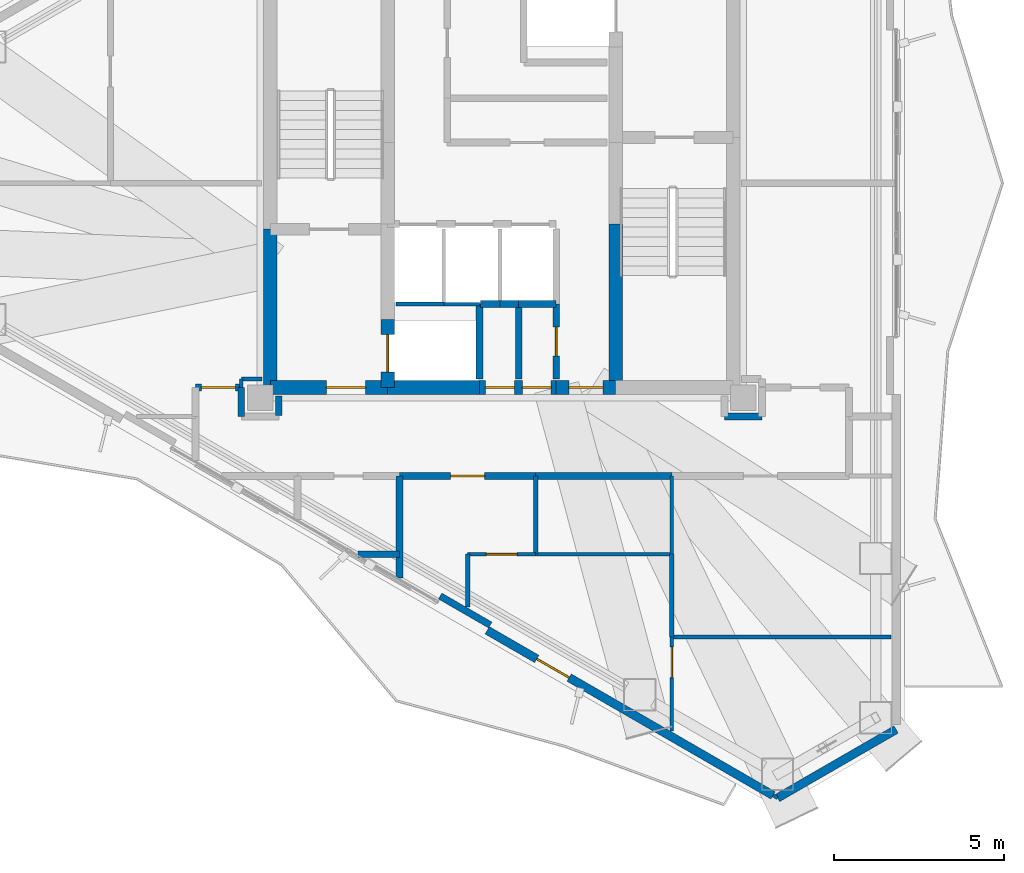
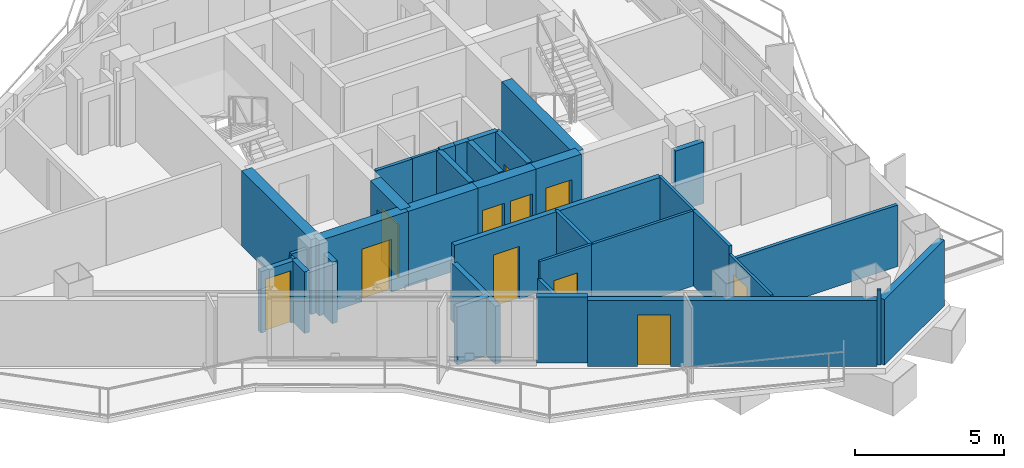
# One storey, part 14 of 19: 37 walls, 11 doors, 11 openings.
"""IFC4 building model written with IfcOpenShell, lengths in metres."""

from ifc_helpers import new_model, si_unit, direction, frame, frame_2d, origin, place, context, subcontext, project, spatial, rectangle, extrude, material, layer, layer_set, type_object, element, fill, save


model = new_model("IFC4")

# Units and contexts
model_context = context("Model", 3, precision=1e-05, world=origin(), true_north=direction((0.0, 1.0)))
body_context = subcontext(model_context, "Body", "Model", "MODEL_VIEW")
ifc_project = project(units=[si_unit("LENGTHUNIT", "METRE"), si_unit("AREAUNIT", "SQUARE_METRE"), si_unit("VOLUMEUNIT", "CUBIC_METRE"), si_unit("PLANEANGLEUNIT", "RADIAN"), si_unit("MASSUNIT", "GRAM", prefix="KILO")], contexts=[model_context])

# Site, building, storey
site_placement = place(None, origin())
site = spatial("IfcSite", under=ifc_project, at=site_placement, CompositionType="ELEMENT")
building_placement = place(site_placement, origin())
building = spatial("IfcBuilding", under=site, at=building_placement, Name="Mersakhor Tower and Convention Hall", CompositionType="ELEMENT")
storey_placement = place(building_placement, frame((0.0, 0.0, 175.5)))
storey = spatial("IfcBuildingStorey", under=building, at=storey_placement, Name="L48", CompositionType="ELEMENT", Elevation=175.5)

# Wall
ifc_material_1 = material(Name="Precast concrete C40/50", Category="concrete")
ifc_layer_1 = layer(ifc_material_1, 0.25)
ifc_layer_set_1 = layer_set([ifc_layer_1], Name="Precast concrete C40/50")
wall_type_1 = type_object("IfcWallType", Name="WL-EXT-250", PredefinedType="SOLIDWALL", material=ifc_layer_set_1)
wall_1_placement = place(storey_placement, frame((40.58837890625, 10.70166015625, 0.0), z_axis=(0.0, 0.0, 1.0), x_axis=(-0.866023907196, -0.500002592159, 0.0)))
element("IfcWall", 1, at=wall_1_placement, inside=storey, type_object=wall_type_1, Name="L48 Chamfer Braced Spandrel Wall C2", PredefinedType="SOLIDWALL", context=body_context, shape_type="SweptSolid", body=[
    extrude(rectangle(XDim=4.0234375, YDim=0.25, at=frame_2d((2.01171875, 0.0))), origin(), (0.0, 0.0, 1.0), 2.68994140625),
])

# Wall, opening, door
wall_2_placement = place(storey_placement, frame((36.97412109375, 8.764892578125, 0.0), z_axis=(0.0, 0.0, 1.0), x_axis=(-0.866016233231, 0.500015883528, 0.0)))
wall_2 = element("IfcWall", 2, at=wall_2_placement, inside=storey, type_object=wall_type_1, Name="L48 Exterior Facade Wall F3-B1", PredefinedType="SOLIDWALL", context=body_context, shape_type="SweptSolid", body=[
    extrude(rectangle(XDim=9.698974609375, YDim=0.25, at=frame_2d((4.849609375, 0.0))), origin(), (0.0, 0.0, 1.0), 2.68994140625),
])
opening_1_placement = place(wall_2_placement, frame((6.9189453125, 0.0, 0.0)))
opening_1 = element("IfcOpeningElement", 3, at=opening_1_placement, cuts=wall_2, Name="Opening BD-02", PredefinedType="OPENING", context=body_context, shape_type="SweptSolid", body=[
    extrude(rectangle(XDim=1.10009765625, YDim=2.10009765625, at=frame_2d((0.550048828125, 1.050048828125))), frame((0.0, 0.135009765625, 0.0), z_axis=(0.0, -1.0, 0.0), x_axis=(1.0, 0.0, 0.0)), (0.0, 0.0, 1.0), 0.27001953125),
])
ifc_material_2 = material(Name="Thermally broken dark aluminium and safety glass", Category="aluminium")
door_type_1 = type_object("IfcDoorType", Name="DR-BAL-110x210", OperationType="NOTDEFINED", PredefinedType="DOOR", material=ifc_material_2)
door_1_placement = place(opening_1_placement, origin())
door_1 = element("IfcDoor", 4, at=door_1_placement, inside=storey, type_object=door_type_1, Name="L48 Balcony Terrace Door F3-B1", OperationType="SINGLE_SWING_RIGHT", OverallHeight=2.10009765625, OverallWidth=1.10009765625, PredefinedType="DOOR", context=body_context, shape_type="SweptSolid", body=[
    extrude(rectangle(XDim=1.10009765625, YDim=2.10009765625, at=frame_2d((0.550048828125, 1.050048828125))), frame((0.0, 0.02490234375, 0.0), z_axis=(0.0, -1.0, 0.0), x_axis=(1.0, 0.0, 0.0)), (0.0, 0.0, 1.0), 0.050048828125),
])
fill(opening_1, door_1)

# Walls
ifc_material_3 = material(Name="Precast concrete C40/50", Category="concrete")
ifc_layer_2 = layer(ifc_material_3, 0.199951171875)
ifc_layer_set_2 = layer_set([ifc_layer_2], Name="Precast concrete C40/50")
wall_type_2 = type_object("IfcWallType", Name="WL-PAR-200", PredefinedType="PARAPET", material=ifc_layer_set_2)
wall_3_placement = place(storey_placement, frame((28.664794921875, 13.770263671875, 0.0), z_axis=(0.0, 0.0, 1.0), x_axis=(-0.866025371046, 0.500000056704, 0.0)))
element("IfcWall", 5, at=wall_3_placement, inside=storey, type_object=wall_type_2, Name="L48 Column Pier Cladding Wall F3-C1", PredefinedType="PARAPET", context=body_context, shape_type="SweptSolid", body=[
    extrude(rectangle(XDim=1.7001953125, YDim=0.199951171875, at=frame_2d((0.85009765625, 0.0))), origin(), (0.0, 0.0, 1.0), 2.68994140625),
])
ifc_material_4 = material(Name="Lightweight gypsum partition", Category="other")
ifc_layer_3 = layer(ifc_material_4, 0.10009765625)
ifc_layer_set_3 = layer_set([ifc_layer_3], Name="Lightweight gypsum partition")
wall_type_3 = type_object("IfcWallType", Name="WL-PRT-100", PredefinedType="PARTITIONING", material=ifc_layer_set_3)
wall_4_placement = place(storey_placement, frame((27.300048828125, 23.199951171875, 0.0), z_axis=(0.0, 0.0, 1.0), x_axis=(1.0, 0.0, 0.0)))
element("IfcWall", 6, at=wall_4_placement, inside=storey, type_object=wall_type_3, Name="L48 Interior Partition Wall P-002", PredefinedType="PARTITIONING", context=body_context, shape_type="SweptSolid", body=[
    extrude(rectangle(XDim=1.050048828125, YDim=0.10009765625, at=frame_2d((0.52490234375, 0.0))), origin(), (0.0, 0.0, 1.0), 3.070068359375),
])
wall_5_placement = place(storey_placement, frame((21.35009765625, 21.0, 0.0), z_axis=(0.0, 0.0, 1.0), x_axis=(0.0, -1.0, 0.0)))
element("IfcWall", 7, at=wall_5_placement, inside=storey, type_object=wall_type_3, Name="L48 Interior Partition Wall P-060", PredefinedType="PARTITIONING", context=body_context, shape_type="SweptSolid", body=[
    extrude(rectangle(XDim=0.25, YDim=0.10009765625, at=frame_2d((0.125, 0.0))), origin(), (0.0, 0.0, 1.0), 2.518310546875),
])

# Wall, opening, door
wall_6_placement = place(storey_placement, frame((30.0, 15.85009765625, 0.0), z_axis=(0.0, 0.0, 1.0), x_axis=(-1.0, 0.0, 0.0)))
wall_6 = element("IfcWall", 8, at=wall_6_placement, inside=storey, type_object=wall_type_3, Name="L48 Interior Partition Wall P-086", PredefinedType="PARTITIONING", context=body_context, shape_type="SweptSolid", body=[
    extrude(rectangle(XDim=2.0, YDim=0.10009765625, at=frame_2d((1.0, 0.0))), origin(), (0.0, 0.0, 1.0), 3.070068359375),
])
opening_2_placement = place(wall_6_placement, frame((0.550048828125, 0.0, 0.0)))
opening_2 = element("IfcOpeningElement", 9, at=opening_2_placement, cuts=wall_6, Name="Opening WD-01", PredefinedType="OPENING", context=body_context, shape_type="SweptSolid", body=[
    extrude(rectangle(XDim=0.89990234375, YDim=2.10009765625, at=frame_2d((0.449951171875, 1.050048828125))), frame((0.0, 0.06005859375, 0.0), z_axis=(0.0, -1.0, 0.0), x_axis=(1.0, 0.0, 0.0)), (0.0, 0.0, 1.0), 0.1201171875),
])
ifc_material_5 = material(Name="Solid-core hardwood leaf in painted steel frame", Category="steel")
door_type_2 = type_object("IfcDoorType", Name="DR-INT-WET-090x210", OperationType="NOTDEFINED", PredefinedType="DOOR", material=ifc_material_5)
door_2_placement = place(opening_2_placement, origin())
door_2 = element("IfcDoor", 10, at=door_2_placement, inside=storey, type_object=door_type_2, Name="L48 L48 Floor Shared Tea Pantry 2-2 to L48 Floor Residents Study Room 2-3 Door", OperationType="SINGLE_SWING_RIGHT", OverallHeight=2.10009765625, OverallWidth=0.89990234375, PredefinedType="DOOR", context=body_context, shape_type="SweptSolid", body=[
    extrude(rectangle(XDim=0.89990234375, YDim=2.10009765625, at=frame_2d((0.449951171875, 1.050048828125))), frame((0.0, 0.02490234375, 0.0), z_axis=(0.0, -1.0, 0.0), x_axis=(1.0, 0.0, 0.0)), (0.0, 0.0, 1.0), 0.050048828125),
])
fill(opening_2, door_2)

# Wall
wall_7_placement = place(storey_placement, frame((30.0, 15.85009765625, 0.0), z_axis=(0.0, 0.0, 1.0), x_axis=(1.0, 0.0, 0.0)))
element("IfcWall", 11, at=wall_7_placement, inside=storey, type_object=wall_type_3, Name="L48 Interior Partition Wall P-088", PredefinedType="PARTITIONING", context=body_context, shape_type="SweptSolid", body=[
    extrude(rectangle(XDim=4.0, YDim=0.10009765625, at=frame_2d((2.0, 0.0))), origin(), (0.0, 0.0, 1.0), 3.070068359375),
])

# Wall, opening, door
wall_8_placement = place(storey_placement, frame((34.0, 13.419921875, 0.0), z_axis=(0.0, 0.0, 1.0), x_axis=(0.0, -1.0, 0.0)))
wall_8 = element("IfcWall", 12, at=wall_8_placement, inside=storey, type_object=wall_type_3, Name="L48 Interior Partition Wall P-090", PredefinedType="PARTITIONING", context=body_context, shape_type="SweptSolid", body=[
    extrude(rectangle(XDim=2.765625, YDim=0.10009765625, at=frame_2d((1.3828125, 0.0))), origin(), (0.0, 0.0, 1.0), 2.734619140625),
])
opening_3_placement = place(wall_8_placement, frame((0.293212890625, 0.0, 0.0)))
opening_3 = element("IfcOpeningElement", 13, at=opening_3_placement, cuts=wall_8, Name="Opening WD-01", PredefinedType="OPENING", context=body_context, shape_type="SweptSolid", body=[
    extrude(rectangle(XDim=0.89990234375, YDim=2.10009765625, at=frame_2d((0.449951171875, 1.050048828125))), frame((0.0, 0.06005859375, 0.0), z_axis=(0.0, -1.0, 0.0), x_axis=(1.0, 0.0, 0.0)), (0.0, 0.0, 1.0), 0.1201171875),
])
door_3_placement = place(opening_3_placement, origin())
door_3 = element("IfcDoor", 14, at=door_3_placement, inside=storey, type_object=door_type_2, Name="L48 L48 Floor Residents Study Room 2-3 to L48 Floor Residents Study Room 2-4 Door", OperationType="SINGLE_SWING_LEFT", OverallHeight=2.10009765625, OverallWidth=0.89990234375, PredefinedType="DOOR", context=body_context, shape_type="SweptSolid", body=[
    extrude(rectangle(XDim=0.89990234375, YDim=2.10009765625, at=frame_2d((0.449951171875, 1.050048828125))), frame((0.0, 0.02490234375, 0.0), z_axis=(0.0, -1.0, 0.0), x_axis=(1.0, 0.0, 0.0)), (0.0, 0.0, 1.0), 0.050048828125),
])
fill(opening_3, door_3)

# Walls
wall_9_placement = place(storey_placement, frame((37.10400390625, 8.68994140625, 0.0), z_axis=(0.0, 0.0, 1.0), x_axis=(-0.866131372301, 0.499816412211, 0.0)))
element("IfcWall", 15, at=wall_9_placement, inside=storey, type_object=wall_type_3, Name="L48 Interior Partition Wall P-092", PredefinedType="PARTITIONING", context=body_context, shape_type="SweptSolid", body=[
    extrude(rectangle(XDim=0.14990234375, YDim=0.10009765625, at=frame_2d((0.074951171875, 0.0))), origin(), (0.0, 0.0, 1.0), 3.070068359375),
])
wall_10_placement = place(storey_placement, frame((34.0, 15.85009765625, 0.0), z_axis=(0.0, 0.0, 1.0), x_axis=(0.0, 1.0, 0.0)))
element("IfcWall", 16, at=wall_10_placement, inside=storey, type_object=wall_type_3, Name="L48 Interior Partition Wall P-094", PredefinedType="PARTITIONING", context=body_context, shape_type="SweptSolid", body=[
    extrude(rectangle(XDim=2.2998046875, YDim=0.10009765625, at=frame_2d((1.14990234375, 0.0))), origin(), (0.0, 0.0, 1.0), 3.070068359375),
])
ifc_material_6 = material(Name="Gypsum board acoustic partition", Category="other")
ifc_layer_4 = layer(ifc_material_6, 0.125)
ifc_layer_set_4 = layer_set([ifc_layer_4], Name="Gypsum board acoustic partition")
wall_type_4 = type_object("IfcWallType", Name="WL-PRT-125", PredefinedType="PARTITIONING", material=ifc_layer_set_4)
wall_11_placement = place(storey_placement, frame((25.89990234375, 23.199951171875, 0.0), z_axis=(0.0, 0.0, 1.0), x_axis=(1.0, 0.0, 0.0)))
element("IfcWall", 17, at=wall_11_placement, inside=storey, type_object=wall_type_4, Name="L48 Interior Partition Wall P-001", PredefinedType="PARTITIONING", context=body_context, shape_type="SweptSolid", body=[
    extrude(rectangle(XDim=1.400146484375, YDim=0.125, at=frame_2d((0.7001953125, 0.0))), origin(), (0.0, 0.0, 1.0), 3.070068359375),
])
wall_12_placement = place(storey_placement, frame((21.949951171875, 21.0, 0.0), z_axis=(0.0, 0.0, 1.0), x_axis=(-1.0, 0.0, 0.0)))
element("IfcWall", 18, at=wall_12_placement, inside=storey, type_object=wall_type_4, Name="L48 Interior Partition Wall P-059", PredefinedType="PARTITIONING", context=body_context, shape_type="SweptSolid", body=[
    extrude(rectangle(XDim=0.599853515625, YDim=0.125, at=frame_2d((0.2998046875, 0.0))), origin(), (0.0, 0.0, 1.0), 2.594970703125),
])
wall_13_placement = place(storey_placement, frame((30.0, 18.14990234375, 0.0), z_axis=(0.0, 0.0, 1.0), x_axis=(0.0, -1.0, 0.0)))
element("IfcWall", 19, at=wall_13_placement, inside=storey, type_object=wall_type_4, Name="L48 Interior Partition Wall P-085", PredefinedType="PARTITIONING", context=body_context, shape_type="SweptSolid", body=[
    extrude(rectangle(XDim=2.2998046875, YDim=0.125, at=frame_2d((1.14990234375, 0.0))), origin(), (0.0, 0.0, 1.0), 3.070068359375),
])
wall_14_placement = place(storey_placement, frame((28.0, 15.85009765625, 0.0), z_axis=(0.0, 0.0, 1.0), x_axis=(0.0, -1.0, 0.0)))
element("IfcWall", 20, at=wall_14_placement, inside=storey, type_object=wall_type_4, Name="L48 Interior Partition Wall P-087", PredefinedType="PARTITIONING", context=body_context, shape_type="SweptSolid", body=[
    extrude(rectangle(XDim=1.552978515625, YDim=0.125, at=frame_2d((0.7763671875, 0.0))), origin(), (0.0, 0.0, 1.0), 2.364990234375),
])
wall_15_placement = place(storey_placement, frame((34.0, 15.85009765625, 0.0), z_axis=(0.0, 0.0, 1.0), x_axis=(0.0, -1.0, 0.0)))
element("IfcWall", 21, at=wall_15_placement, inside=storey, type_object=wall_type_4, Name="L48 Interior Partition Wall P-089", PredefinedType="PARTITIONING", context=body_context, shape_type="SweptSolid", body=[
    extrude(rectangle(XDim=2.43017578125, YDim=0.125, at=frame_2d((1.215087890625, 0.0))), origin(), (0.0, 0.0, 1.0), 3.070068359375),
])
wall_16_placement = place(storey_placement, frame((34.0, 13.419921875, 0.0), z_axis=(0.0, 0.0, 1.0), x_axis=(1.0, 0.0, 0.0)))
element("IfcWall", 22, at=wall_16_placement, inside=storey, type_object=wall_type_4, Name="L48 Interior Partition Wall P-091", PredefinedType="PARTITIONING", context=body_context, shape_type="SweptSolid", body=[
    extrude(rectangle(XDim=6.439453125, YDim=0.125, at=frame_2d((3.2197265625, 0.0))), origin(), (0.0, 0.0, 1.0), 2.518310546875),
])
ifc_material_7 = material(Name="Acoustic concrete blockwork and gypsum board", Category="masonry")
ifc_layer_5 = layer(ifc_material_7, 0.199951171875)
ifc_layer_set_5 = layer_set([ifc_layer_5], Name="Acoustic concrete blockwork and gypsum board")
wall_type_5 = type_object("IfcWallType", Name="WL-PRT-200", PredefinedType="PARTITIONING", material=ifc_layer_set_5)
wall_17_placement = place(storey_placement, frame((28.35009765625, 23.199951171875, 0.0), z_axis=(0.0, 0.0, 1.0), x_axis=(0.0, -1.0, 0.0)))
element("IfcWall", 23, at=wall_17_placement, inside=storey, type_object=wall_type_5, Name="L48 Interior Partition Wall P-003", PredefinedType="PARTITIONING", context=body_context, shape_type="SweptSolid", body=[
    extrude(rectangle(XDim=2.199951171875, YDim=0.199951171875, at=frame_2d((1.10009765625, 0.0))), origin(), (0.0, 0.0, 1.0), 3.070068359375),
])
wall_18_placement = place(storey_placement, frame((28.949951171875, 23.199951171875, 0.0), z_axis=(0.0, 0.0, 1.0), x_axis=(-1.0, 0.0, 0.0)))
element("IfcWall", 24, at=wall_18_placement, inside=storey, type_object=wall_type_5, Name="L48 Interior Partition Wall P-008", PredefinedType="PARTITIONING", context=body_context, shape_type="SweptSolid", body=[
    extrude(rectangle(XDim=0.570068359375, YDim=0.199951171875, at=frame_2d((0.28515625, 0.0))), origin(), (0.0, 0.0, 1.0), 3.070068359375),
])
wall_19_placement = place(storey_placement, frame((30.60009765625, 23.199951171875, 0.0), z_axis=(0.0, 0.0, 1.0), x_axis=(-1.0, 0.0, 0.0)))
element("IfcWall", 25, at=wall_19_placement, inside=storey, type_object=wall_type_5, Name="L48 Interior Partition Wall P-010", PredefinedType="PARTITIONING", context=body_context, shape_type="SweptSolid", body=[
    extrude(rectangle(XDim=1.10009765625, YDim=0.199951171875, at=frame_2d((0.550048828125, 0.0))), origin(), (0.0, 0.0, 1.0), 3.070068359375),
])
wall_20_placement = place(storey_placement, frame((29.5, 23.199951171875, 0.0), z_axis=(0.0, 0.0, 1.0), x_axis=(-1.0, 0.0, 0.0)))
element("IfcWall", 26, at=wall_20_placement, inside=storey, type_object=wall_type_5, Name="L48 Interior Partition Wall P-011", PredefinedType="PARTITIONING", context=body_context, shape_type="SweptSolid", body=[
    extrude(rectangle(XDim=0.550048828125, YDim=0.199951171875, at=frame_2d((0.27490234375, 0.0))), origin(), (0.0, 0.0, 1.0), 3.070068359375),
])

# Wall, opening, door
wall_21_placement = place(storey_placement, frame((30.60009765625, 21.0, 0.0), z_axis=(0.0, 0.0, 1.0), x_axis=(0.0, 1.0, 0.0)))
wall_21 = element("IfcWall", 27, at=wall_21_placement, inside=storey, type_object=wall_type_5, Name="L48 Interior Partition Wall P-012", PredefinedType="PARTITIONING", context=body_context, shape_type="SweptSolid", body=[
    extrude(rectangle(XDim=2.199951171875, YDim=0.199951171875, at=frame_2d((1.10009765625, 0.0))), origin(), (0.0, 0.0, 1.0), 3.070068359375),
])
opening_4_placement = place(wall_21_placement, frame((0.675048828125, 0.0, 0.0)))
opening_4 = element("IfcOpeningElement", 28, at=opening_4_placement, cuts=wall_21, Name="Opening SVD-01", PredefinedType="OPENING", context=body_context, shape_type="SweptSolid", body=[
    extrude(rectangle(XDim=0.85009765625, YDim=2.10009765625, at=frame_2d((0.425048828125, 1.050048828125))), frame((0.0, 0.10986328125, 0.0), z_axis=(0.0, -1.0, 0.0), x_axis=(1.0, 0.0, 0.0)), (0.0, 0.0, 1.0), 0.219970703125),
])
ifc_material_8 = material(Name="Fire-rated hardwood leaf and painted steel frame", Category="steel")
door_type_3 = type_object("IfcDoorType", Name="DR-INT-SVC-085x210", OperationType="NOTDEFINED", PredefinedType="DOOR", material=ifc_material_8)
door_4_placement = place(opening_4_placement, origin())
door_4 = element("IfcDoor", 29, at=door_4_placement, inside=storey, type_object=door_type_3, Name="L48 Central Passenger Lift Lobby to Cleaner Store Room Door", OperationType="SINGLE_SWING_RIGHT", OverallHeight=2.10009765625, OverallWidth=0.85009765625, PredefinedType="DOOR", context=body_context, shape_type="SweptSolid", body=[
    extrude(rectangle(XDim=0.85009765625, YDim=2.10009765625, at=frame_2d((0.425048828125, 1.050048828125))), frame((0.0, 0.02490234375, 0.0), z_axis=(0.0, -1.0, 0.0), x_axis=(1.0, 0.0, 0.0)), (0.0, 0.0, 1.0), 0.050048828125),
])
fill(opening_4, door_4)

wall_22_placement = place(storey_placement, frame((20.0, 20.75, 0.0), z_axis=(0.0, 0.0, 1.0), x_axis=(1.0, 0.0, 0.0)))
wall_22 = element("IfcWall", 30, at=wall_22_placement, inside=storey, type_object=wall_type_5, Name="L48 Interior Partition Wall P-033", PredefinedType="PARTITIONING", context=body_context, shape_type="SweptSolid", body=[
    extrude(rectangle(XDim=1.35009765625, YDim=0.199951171875, at=frame_2d((0.675048828125, 0.0))), origin(), (0.0, 0.0, 1.0), 2.518310546875),
])
opening_5_placement = place(wall_22_placement, frame((0.175048828125, 0.0, 0.0)))
opening_5 = element("IfcOpeningElement", 31, at=opening_5_placement, cuts=wall_22, Name="Opening FD-01", PredefinedType="OPENING", context=body_context, shape_type="SweptSolid", body=[
    extrude(rectangle(XDim=1.0, YDim=2.14990234375, at=frame_2d((0.5, 1.074951171875))), frame((0.0, 0.10986328125, 0.0), z_axis=(0.0, -1.0, 0.0), x_axis=(1.0, 0.0, 0.0)), (0.0, 0.0, 1.0), 0.219970703125),
])
ifc_material_9 = material(Name="Fire-rated hardwood leaf and painted steel frame", Category="steel")
door_type_4 = type_object("IfcDoorType", Name="DR-INT-FLT-100x215", OperationType="NOTDEFINED", PredefinedType="DOOR", material=ifc_material_9)
door_5_placement = place(opening_5_placement, origin())
door_5 = element("IfcDoor", 32, at=door_5_placement, inside=storey, type_object=door_type_4, Name="L48 Residential South Gallery Corridor to L48 West Wing Co-Working Office Door", OperationType="SINGLE_SWING_RIGHT", OverallHeight=2.14990234375, OverallWidth=1.0, PredefinedType="DOOR", context=body_context, shape_type="SweptSolid", body=[
    extrude(rectangle(XDim=1.0, YDim=2.14990234375, at=frame_2d((0.5, 1.074951171875))), frame((0.0, 0.02490234375, 0.0), z_axis=(0.0, -1.0, 0.0), x_axis=(1.0, 0.0, 0.0)), (0.0, 0.0, 1.0), 0.050048828125),
])
fill(opening_5, door_5)

# Walls
wall_23_placement = place(storey_placement, frame((21.35009765625, 20.75, 0.0), z_axis=(0.0, 0.0, 1.0), x_axis=(0.0, -1.0, 0.0)))
element("IfcWall", 33, at=wall_23_placement, inside=storey, type_object=wall_type_5, Name="L48 Interior Partition Wall P-034", PredefinedType="PARTITIONING", context=body_context, shape_type="SweptSolid", body=[
    extrude(rectangle(XDim=0.85009765625, YDim=0.199951171875, at=frame_2d((0.425048828125, 0.0))), origin(), (0.0, 0.0, 1.0), 2.518310546875),
])
wall_24_placement = place(storey_placement, frame((22.449951171875, 19.929931640625, 0.0), z_axis=(0.0, 0.0, 1.0), x_axis=(0.0, 1.0, 0.0)))
element("IfcWall", 34, at=wall_24_placement, inside=storey, type_object=wall_type_5, Name="L48 Interior Partition Wall P-036", PredefinedType="PARTITIONING", context=body_context, shape_type="SweptSolid", body=[
    extrude(rectangle(XDim=0.570068359375, YDim=0.199951171875, at=frame_2d((0.28515625, 0.0))), origin(), (0.0, 0.0, 1.0), 2.518310546875),
])
wall_25_placement = place(storey_placement, frame((35.550048828125, 19.89990234375, 0.0), z_axis=(0.0, 0.0, 1.0), x_axis=(1.0, 0.0, 0.0)))
element("IfcWall", 35, at=wall_25_placement, inside=storey, type_object=wall_type_5, Name="L48 Interior Partition Wall P-038", PredefinedType="PARTITIONING", context=body_context, shape_type="SweptSolid", body=[
    extrude(rectangle(XDim=1.099853515625, YDim=0.199951171875, at=frame_2d((0.5498046875, 0.0))), origin(), (0.0, 0.0, 1.0), 2.518310546875),
])
wall_26_placement = place(storey_placement, frame((34.0, 18.14990234375, 0.0), z_axis=(0.0, 0.0, 1.0), x_axis=(-1.0, 0.0, 0.0)))
element("IfcWall", 36, at=wall_26_placement, inside=storey, type_object=wall_type_5, Name="L48 Interior Partition Wall P-044", PredefinedType="PARTITIONING", context=body_context, shape_type="SweptSolid", body=[
    extrude(rectangle(XDim=4.0, YDim=0.199951171875, at=frame_2d((2.0, 0.0))), origin(), (0.0, 0.0, 1.0), 3.070068359375),
])

# Wall, opening, door
wall_27_placement = place(storey_placement, frame((30.0, 18.14990234375, 0.0), z_axis=(0.0, 0.0, 1.0), x_axis=(-1.0, 0.0, 0.0)))
wall_27 = element("IfcWall", 37, at=wall_27_placement, inside=storey, type_object=wall_type_5, Name="L48 Interior Partition Wall P-045", PredefinedType="PARTITIONING", context=body_context, shape_type="SweptSolid", body=[
    extrude(rectangle(XDim=4.0, YDim=0.199951171875, at=frame_2d((2.0, 0.0))), origin(), (0.0, 0.0, 1.0), 3.070068359375),
])
opening_6_placement = place(wall_27_placement, frame((1.5, 0.0, 0.0)))
opening_6 = element("IfcOpeningElement", 38, at=opening_6_placement, cuts=wall_27, Name="Opening FD-01", PredefinedType="OPENING", context=body_context, shape_type="SweptSolid", body=[
    extrude(rectangle(XDim=1.0, YDim=2.14990234375, at=frame_2d((0.5, 1.074951171875))), frame((0.0, 0.10986328125, 0.0), z_axis=(0.0, -1.0, 0.0), x_axis=(1.0, 0.0, 0.0)), (0.0, 0.0, 1.0), 0.219970703125),
])
door_6_placement = place(opening_6_placement, origin())
door_6 = element("IfcDoor", 39, at=door_6_placement, inside=storey, type_object=door_type_4, Name="L48 Residential South Gallery Corridor to L48 Floor Shared Tea Pantry 2-2 Door", OperationType="SINGLE_SWING_LEFT", OverallHeight=2.14990234375, OverallWidth=1.0, PredefinedType="DOOR", context=body_context, shape_type="SweptSolid", body=[
    extrude(rectangle(XDim=1.0, YDim=2.14990234375, at=frame_2d((0.5, 1.074951171875))), frame((0.0, 0.02490234375, 0.0), z_axis=(0.0, -1.0, 0.0), x_axis=(1.0, 0.0, 0.0)), (0.0, 0.0, 1.0), 0.050048828125),
])
fill(opening_6, door_6)

# Walls
wall_28_placement = place(storey_placement, frame((29.5, 23.199951171875, 0.0), z_axis=(0.0, 0.0, 1.0), x_axis=(0.0, -1.0, 0.0)))
element("IfcWall", 40, at=wall_28_placement, inside=storey, type_object=wall_type_5, Name="L48 Interior Partition Wall P-056", PredefinedType="PARTITIONING", context=body_context, shape_type="SweptSolid", body=[
    extrude(rectangle(XDim=2.199951171875, YDim=0.199951171875, at=frame_2d((1.10009765625, 0.0))), origin(), (0.0, 0.0, 1.0), 3.070068359375),
])
wall_29_placement = place(storey_placement, frame((26.0, 18.14990234375, 0.0), z_axis=(0.0, 0.0, 1.0), x_axis=(0.0, -1.0, 0.0)))
element("IfcWall", 41, at=wall_29_placement, inside=storey, type_object=wall_type_5, Name="L48 Interior Partition Wall P-082", PredefinedType="PARTITIONING", context=body_context, shape_type="SweptSolid", body=[
    extrude(rectangle(XDim=3.005126953125, YDim=0.199951171875, at=frame_2d((1.50244140625, 0.0))), origin(), (0.0, 0.0, 1.0), 2.364990234375),
])
wall_30_placement = place(storey_placement, frame((26.0, 15.85009765625, 0.0), z_axis=(0.0, 0.0, 1.0), x_axis=(-1.0, 0.0, 0.0)))
element("IfcWall", 42, at=wall_30_placement, inside=storey, type_object=wall_type_5, Name="L48 Interior Partition Wall P-083", PredefinedType="PARTITIONING", context=body_context, shape_type="SweptSolid", body=[
    extrude(rectangle(XDim=1.228515625, YDim=0.199951171875, at=frame_2d((0.6142578125, 0.0))), origin(), (0.0, 0.0, 1.0), 2.364990234375),
])
ifc_material_10 = material(Name="Concrete C60/75", Category="concrete")
ifc_layer_6 = layer(ifc_material_10, 0.39990234375)
ifc_layer_set_6 = layer_set([ifc_layer_6], Name="Concrete C60/75")
wall_type_6 = type_object("IfcWallType", Name="WL-SHR-400", PredefinedType="SHEAR", material=ifc_layer_set_6)
wall_31_placement = place(storey_placement, frame((22.199951171875, 20.75, 0.0), z_axis=(0.0, 0.0, 1.0), x_axis=(0.0, 1.0, 0.0)))
element("IfcWall", 43, at=wall_31_placement, inside=storey, type_object=wall_type_6, Name="L48 Core Wall CW-W1", PredefinedType="SHEAR", context=body_context, shape_type="SweptSolid", body=[
    extrude(rectangle(XDim=4.64990234375, YDim=0.39990234375, at=frame_2d((2.324951171875, 0.0))), origin(), (0.0, 0.0, 1.0), 3.070068359375),
])

# Wall, opening, door
wall_32_placement = place(storey_placement, frame((32.35009765625, 20.75, 0.0), z_axis=(0.0, 0.0, 1.0), x_axis=(-1.0, 0.0, 0.0)))
wall_32 = element("IfcWall", 44, at=wall_32_placement, inside=storey, type_object=wall_type_6, Name="L48 Core Wall CW-S2A", PredefinedType="SHEAR", context=body_context, shape_type="SweptSolid", body=[
    extrude(rectangle(XDim=1.75, YDim=0.39990234375, at=frame_2d((0.875, 0.0))), origin(), (0.0, 0.0, 1.0), 3.070068359375),
])
opening_7_placement = place(wall_32_placement, frame((0.375, 0.0, 0.0)))
opening_7 = element("IfcOpeningElement", 45, at=opening_7_placement, cuts=wall_32, Name="Opening CFD-01", PredefinedType="OPENING", context=body_context, shape_type="SweptSolid", body=[
    extrude(rectangle(XDim=1.0, YDim=2.14990234375, at=frame_2d((0.5, 1.074951171875))), frame((0.0, 0.2099609375, 0.0), z_axis=(0.0, -1.0, 0.0), x_axis=(1.0, 0.0, 0.0)), (0.0, 0.0, 1.0), 0.419921875),
])
ifc_material_11 = material(Name="Fire-rated hardwood leaf and painted steel frame", Category="steel")
door_type_5 = type_object("IfcDoorType", Name="DR-CORE-FD-100x215", OperationType="NOTDEFINED", PredefinedType="DOOR", material=ifc_material_11)
door_7_placement = place(opening_7_placement, origin())
door_7 = element("IfcDoor", 46, at=door_7_placement, inside=storey, type_object=door_type_5, Name="L48 Lift Lobby South Corridor Door", OperationType="SINGLE_SWING_RIGHT", OverallHeight=2.14990234375, OverallWidth=1.0, PredefinedType="DOOR", context=body_context, shape_type="SweptSolid", body=[
    extrude(rectangle(XDim=1.0, YDim=2.14990234375, at=frame_2d((0.5, 1.074951171875))), frame((0.0, 0.02490234375, 0.0), z_axis=(0.0, -1.0, 0.0), x_axis=(1.0, 0.0, 0.0)), (0.0, 0.0, 1.0), 0.050048828125),
])
fill(opening_7, door_7)

# Wall, openings, doors
wall_33_placement = place(storey_placement, frame((30.60009765625, 20.75, 0.0), z_axis=(0.0, 0.0, 1.0), x_axis=(-1.0, 0.0, 0.0)))
wall_33 = element("IfcWall", 47, at=wall_33_placement, inside=storey, type_object=wall_type_6, Name="L48 Core Wall CW-S2B", PredefinedType="SHEAR", context=body_context, shape_type="SweptSolid", body=[
    extrude(rectangle(XDim=2.25, YDim=0.39990234375, at=frame_2d((1.125, 0.0))), origin(), (0.0, 0.0, 1.0), 3.070068359375),
])
opening_8_placement = place(wall_33_placement, frame((1.22998046875, 0.0, 0.0)))
opening_8 = element("IfcOpeningElement", 48, at=opening_8_placement, cuts=wall_33, Name="Opening SVD-01", PredefinedType="OPENING", context=body_context, shape_type="SweptSolid", body=[
    extrude(rectangle(XDim=0.85009765625, YDim=2.10009765625, at=frame_2d((0.425048828125, 1.050048828125))), frame((0.0, 0.2099609375, 0.0), z_axis=(0.0, -1.0, 0.0), x_axis=(1.0, 0.0, 0.0)), (0.0, 0.0, 1.0), 0.419921875),
])
opening_9_placement = place(wall_33_placement, frame((0.14501953125, 0.0, 0.0)))
opening_9 = element("IfcOpeningElement", 49, at=opening_9_placement, cuts=wall_33, Name="Opening SVD-01", PredefinedType="OPENING", context=body_context, shape_type="SweptSolid", body=[
    extrude(rectangle(XDim=0.85009765625, YDim=2.10009765625, at=frame_2d((0.425048828125, 1.050048828125))), frame((0.0, 0.2099609375, 0.0), z_axis=(0.0, -1.0, 0.0), x_axis=(1.0, 0.0, 0.0)), (0.0, 0.0, 1.0), 0.419921875),
])
door_8_placement = place(opening_8_placement, origin())
door_8 = element("IfcDoor", 50, at=door_8_placement, inside=storey, type_object=door_type_3, Name="L48 Residential South Gallery Corridor to Mechanical Valve Plant Room Door", OperationType="SINGLE_SWING_RIGHT", OverallHeight=2.10009765625, OverallWidth=0.85009765625, PredefinedType="DOOR", context=body_context, shape_type="SweptSolid", body=[
    extrude(rectangle(XDim=0.85009765625, YDim=2.10009765625, at=frame_2d((0.425048828125, 1.050048828125))), frame((0.0, 0.02490234375, 0.0), z_axis=(0.0, -1.0, 0.0), x_axis=(1.0, 0.0, 0.0)), (0.0, 0.0, 1.0), 0.050048828125),
])
fill(opening_8, door_8)
door_9_placement = place(opening_9_placement, origin())
door_9 = element("IfcDoor", 51, at=door_9_placement, inside=storey, type_object=door_type_3, Name="L48 Residential South Gallery Corridor to Cleaner Store Room Door", OperationType="SINGLE_SWING_LEFT", OverallHeight=2.10009765625, OverallWidth=0.85009765625, PredefinedType="DOOR", context=body_context, shape_type="SweptSolid", body=[
    extrude(rectangle(XDim=0.85009765625, YDim=2.10009765625, at=frame_2d((0.425048828125, 1.050048828125))), frame((0.0, 0.02490234375, 0.0), z_axis=(0.0, -1.0, 0.0), x_axis=(1.0, 0.0, 0.0)), (0.0, 0.0, 1.0), 0.050048828125),
])
fill(opening_9, door_9)

# Wall
wall_34_placement = place(storey_placement, frame((28.35009765625, 20.75, 0.0), z_axis=(0.0, 0.0, 1.0), x_axis=(-1.0, 0.0, 0.0)))
element("IfcWall", 52, at=wall_34_placement, inside=storey, type_object=wall_type_6, Name="L48 Core Wall CW-S3", PredefinedType="SHEAR", context=body_context, shape_type="SweptSolid", body=[
    extrude(rectangle(XDim=2.7001953125, YDim=0.39990234375, at=frame_2d((1.35009765625, 0.0))), origin(), (0.0, 0.0, 1.0), 3.070068359375),
])

# Wall, opening, door
wall_35_placement = place(storey_placement, frame((25.64990234375, 20.75, 0.0), z_axis=(0.0, 0.0, 1.0), x_axis=(-1.0, 0.0, 0.0)))
wall_35 = element("IfcWall", 53, at=wall_35_placement, inside=storey, type_object=wall_type_6, Name="L48 Core Wall CW-S4", PredefinedType="SHEAR", context=body_context, shape_type="SweptSolid", body=[
    extrude(rectangle(XDim=3.449951171875, YDim=0.39990234375, at=frame_2d((1.72509765625, 0.0))), origin(), (0.0, 0.0, 1.0), 3.070068359375),
])
opening_10_placement = place(wall_35_placement, frame((0.64990234375, 0.0, 0.0)))
opening_10 = element("IfcOpeningElement", 54, at=opening_10_placement, cuts=wall_35, Name="Opening SD-01", PredefinedType="OPENING", context=body_context, shape_type="SweptSolid", body=[
    extrude(rectangle(XDim=1.14990234375, YDim=2.14990234375, at=frame_2d((0.574951171875, 1.074951171875))), frame((0.0, 0.2099609375, 0.0), z_axis=(0.0, -1.0, 0.0), x_axis=(1.0, 0.0, 0.0)), (0.0, 0.0, 1.0), 0.419921875),
])
ifc_material_12 = material(Name="Fire-rated hardwood leaf and painted steel frame", Category="steel")
door_type_6 = type_object("IfcDoorType", Name="DR-INT-STAIR-115x215", OperationType="NOTDEFINED", PredefinedType="DOOR", material=ifc_material_12)
door_10_placement = place(opening_10_placement, origin())
door_10 = element("IfcDoor", 55, at=door_10_placement, inside=storey, type_object=door_type_6, Name="L48 Firefighting Lobby West Fire Door", OperationType="SINGLE_SWING_LEFT", OverallHeight=2.14990234375, OverallWidth=1.14990234375, PredefinedType="DOOR", context=body_context, shape_type="SweptSolid", body=[
    extrude(rectangle(XDim=1.14990234375, YDim=2.14990234375, at=frame_2d((0.574951171875, 1.074951171875))), frame((0.0, 0.02490234375, 0.0), z_axis=(0.0, -1.0, 0.0), x_axis=(1.0, 0.0, 0.0)), (0.0, 0.0, 1.0), 0.050048828125),
])
fill(opening_10, door_10)

wall_36_placement = place(storey_placement, frame((25.64990234375, 20.75, 0.0), z_axis=(0.0, 0.0, 1.0), x_axis=(0.0, 1.0, 0.0)))
wall_36 = element("IfcWall", 56, at=wall_36_placement, inside=storey, type_object=wall_type_6, Name="L48 Core Wall CS-W-FFL", PredefinedType="SHEAR", context=body_context, shape_type="SweptSolid", body=[
    extrude(rectangle(XDim=2.0, YDim=0.39990234375, at=frame_2d((1.0, 0.0))), origin(), (0.0, 0.0, 1.0), 3.070068359375),
])
opening_11_placement = place(wall_36_placement, frame((0.449951171875, 0.0, 0.0)))
opening_11 = element("IfcOpeningElement", 57, at=opening_11_placement, cuts=wall_36, Name="Opening LD-FFL1", PredefinedType="OPENING", context=body_context, shape_type="SweptSolid", body=[
    extrude(rectangle(XDim=1.10009765625, YDim=2.14990234375, at=frame_2d((0.550048828125, 1.074951171875))), frame((0.0, 0.2099609375, 0.0), z_axis=(0.0, -1.0, 0.0), x_axis=(1.0, 0.0, 0.0)), (0.0, 0.0, 1.0), 0.419921875),
])
ifc_material_13 = material(Name="Fire-rated brushed stainless steel sliding landing door", Category="steel")
door_type_7 = type_object("IfcDoorType", Name="DR-LIFT-SLD-110x215", OperationType="NOTDEFINED", PredefinedType="DOOR", material=ifc_material_13)
door_11_placement = place(opening_11_placement, origin())
door_11 = element("IfcDoor", 58, at=door_11_placement, inside=storey, type_object=door_type_7, Name="L48 Firefighting Lift Landing Door LD-FFL1", OperationType="SLIDING_TO_LEFT", OverallHeight=2.14990234375, OverallWidth=1.10009765625, PredefinedType="DOOR", context=body_context, shape_type="SweptSolid", body=[
    extrude(rectangle(XDim=1.10009765625, YDim=2.14990234375, at=frame_2d((0.550048828125, 1.074951171875))), frame((0.0, 0.02490234375, 0.0), z_axis=(0.0, -1.0, 0.0), x_axis=(1.0, 0.0, 0.0)), (0.0, 0.0, 1.0), 0.050048828125),
])
fill(opening_11, door_11)

# Wall
wall_37_placement = place(storey_placement, frame((32.35009765625, 20.75, 0.0), z_axis=(0.0, 0.0, 1.0), x_axis=(0.0, 1.0, 0.0)))
element("IfcWall", 59, at=wall_37_placement, inside=storey, type_object=wall_type_6, Name="L48 Core Wall CS-E-ST2", PredefinedType="SHEAR", context=body_context, shape_type="SweptSolid", body=[
    extrude(rectangle(XDim=4.800048828125, YDim=0.39990234375, at=frame_2d((2.39990234375, 0.0))), origin(), (0.0, 0.0, 1.0), 3.070068359375),
])

save(model, "model.ifc")
